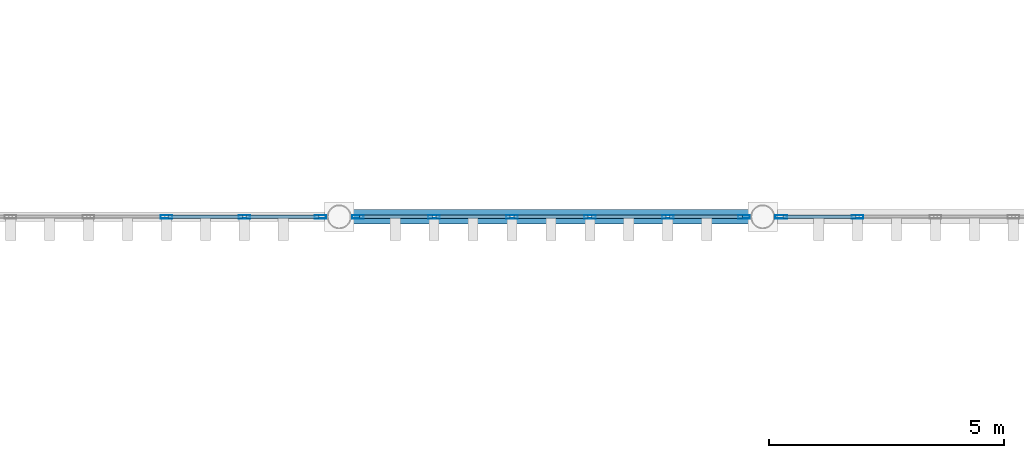
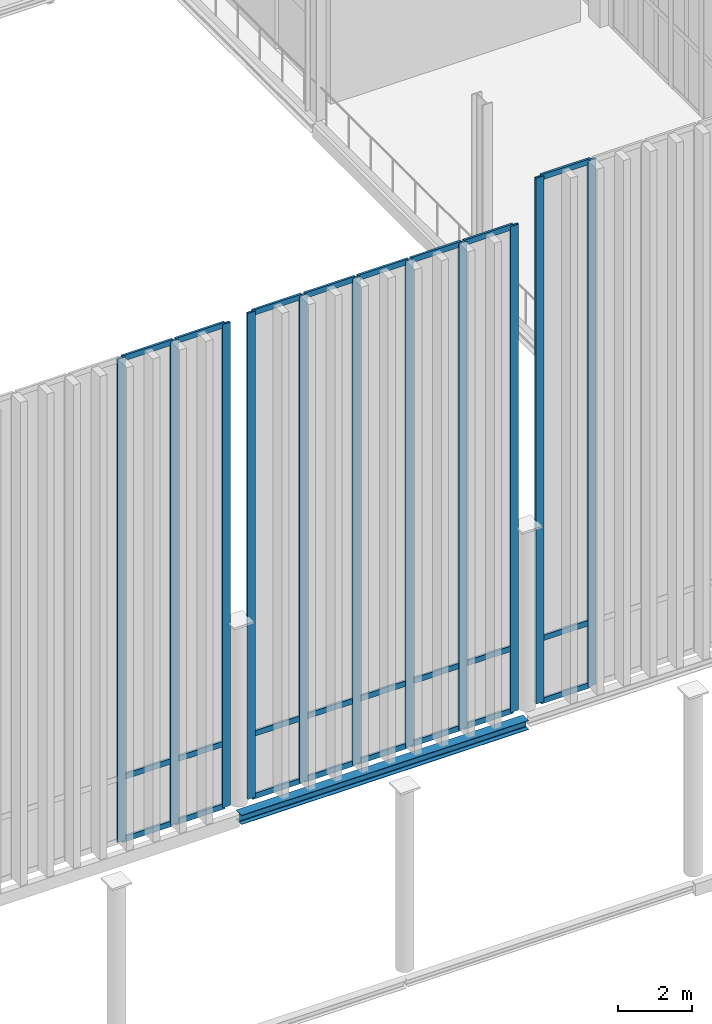
# One storey, part 43 of 237: 35 members, 1 beam, 3 elements without a shape of their own.
"""IFC4 building model written with IfcOpenShell, lengths in metres."""

from ifc_helpers import new_model, si_unit, direction, frame, origin, origin_2d, place, context, subcontext, project, spatial, hollow_rectangle, i_section, extrude, material, layer, layer_set, material_profile, profile_set, type_object, element, aggregate, save


model = new_model("IFC4")

# Units and contexts
model_context = context("Model", 3, precision=1e-05, world=origin(), true_north=direction((0.0, 1.0)))
body_context = subcontext(model_context, "Body", "Model", "MODEL_VIEW")
ifc_project = project(units=[si_unit("LENGTHUNIT", "METRE"), si_unit("AREAUNIT", "SQUARE_METRE"), si_unit("VOLUMEUNIT", "CUBIC_METRE"), si_unit("PLANEANGLEUNIT", "RADIAN"), si_unit("MASSUNIT", "GRAM", prefix="KILO")], contexts=[model_context])

# Site, building, storey
site_placement = place(None, origin())
site = spatial("IfcSite", under=ifc_project, at=site_placement, CompositionType="ELEMENT")
building_placement = place(site_placement, origin())
building = spatial("IfcBuilding", under=site, at=building_placement, Name="Barlavento Convention Centre", CompositionType="ELEMENT")
storey_placement = place(building_placement, frame((0.0, 0.0, 12.0)))
storey = spatial("IfcBuildingStorey", under=building, at=storey_placement, Name="L02", CompositionType="ELEMENT", Elevation=12.0)

# Curtain wall, members
ifc_material_1 = material(Name="Powder-coated aluminium and Low-E glass", Category="aluminium")
ifc_layer = layer(ifc_material_1, 0.18994140625)
ifc_layer_set = layer_set([ifc_layer], Name="ARC-CW-CONG-L02")
curtain_wall_type = type_object("IfcCurtainWallType", Name="ARC-CW-CONG-L02", PredefinedType="NOTDEFINED", material=ifc_layer_set)
curtain_wall_1_placement = place(storey_placement, origin())
curtain_wall_1 = element("IfcCurtainWall", 1, at=curtain_wall_1_placement, inside=storey, type_object=curtain_wall_type, Name="L02 unitised curtain wall CW02", PredefinedType="NOTDEFINED")
ifc_material_2 = material(Name="Powder-coated aluminium", Category="aluminium")
ifc_material_profile_1 = material_profile(ifc_material_2, hollow_rectangle(XDim=0.074951171875, YDim=0.25, WallThickness=0.006103515625, at=origin_2d()), Name="AL-MULL 75x250x6")
ifc_profile_set_1 = profile_set([ifc_material_profile_1], Name="Powder-coated aluminium")
member_type_1 = type_object("IfcMemberType", Name="ARC-CWM-75X250", PredefinedType="MULLION", material=ifc_profile_set_1)
member_1_placement = place(storey_placement, frame((32.328125, 9.0, 0.0), z_axis=(0.0, 0.0, 1.0), x_axis=(0.0, 1.0, 0.0)))
member_1 = element("IfcMember", 2, at=member_1_placement, type_object=member_type_1, Name="CW02 mullion 4", PredefinedType="MULLION", context=body_context, shape_type="SweptSolid", body=[
    extrude(hollow_rectangle(XDim=0.074951171875, YDim=0.25, WallThickness=0.006103515625, at=origin_2d()), origin(), (0.0, 0.0, 1.0), 15.949951171875),
])
member_2_placement = place(storey_placement, frame((33.984619140625, 9.0, 0.0), z_axis=(0.0, 0.0, 1.0), x_axis=(0.0, 1.0, 0.0)))
member_2 = element("IfcMember", 3, at=member_2_placement, type_object=member_type_1, Name="CW02 mullion 5", PredefinedType="MULLION", context=body_context, shape_type="SweptSolid", body=[
    extrude(hollow_rectangle(XDim=0.074951171875, YDim=0.25, WallThickness=0.006103515625, at=origin_2d()), origin(), (0.0, 0.0, 1.0), 15.949951171875),
])
member_3_placement = place(storey_placement, frame((35.603515625, 9.0, 0.0), z_axis=(0.0, 0.0, 1.0), x_axis=(0.0, 1.0, 0.0)))
member_3 = element("IfcMember", 4, at=member_3_placement, type_object=member_type_1, Name="CW02 mullion 6", PredefinedType="MULLION", context=body_context, shape_type="SweptSolid", body=[
    extrude(hollow_rectangle(XDim=0.074951171875, YDim=0.25, WallThickness=0.006103515625, at=origin_2d()), origin(), (0.0, 0.0, 1.0), 15.949951171875),
])

curtain_wall_2_placement = place(storey_placement, origin())
curtain_wall_2 = element("IfcCurtainWall", 5, at=curtain_wall_2_placement, inside=storey, type_object=curtain_wall_type, Name="L02 unitised curtain wall CW02", PredefinedType="NOTDEFINED")
member_4_placement = place(storey_placement, frame((36.396484375, 9.0, 0.0), z_axis=(0.0, 0.0, 1.0), x_axis=(0.0, 1.0, 0.0)))
member_4 = element("IfcMember", 6, at=member_4_placement, type_object=member_type_1, Name="CW02 mullion 1", PredefinedType="MULLION", context=body_context, shape_type="SweptSolid", body=[
    extrude(hollow_rectangle(XDim=0.074951171875, YDim=0.25, WallThickness=0.006103515625, at=origin_2d()), origin(), (0.0, 0.0, 1.0), 16.037109375),
])
member_5_placement = place(storey_placement, frame((38.015380859375, 9.0, 0.0), z_axis=(0.0, 0.0, 1.0), x_axis=(0.0, 1.0, 0.0)))
member_5 = element("IfcMember", 7, at=member_5_placement, type_object=member_type_1, Name="CW02 mullion 2", PredefinedType="MULLION", context=body_context, shape_type="SweptSolid", body=[
    extrude(hollow_rectangle(XDim=0.074951171875, YDim=0.25, WallThickness=0.006103515625, at=origin_2d()), origin(), (0.0, 0.0, 1.0), 16.037109375),
])
member_6_placement = place(storey_placement, frame((39.671875, 9.0, 0.0), z_axis=(0.0, 0.0, 1.0), x_axis=(0.0, 1.0, 0.0)))
member_6 = element("IfcMember", 8, at=member_6_placement, type_object=member_type_1, Name="CW02 mullion 3", PredefinedType="MULLION", context=body_context, shape_type="SweptSolid", body=[
    extrude(hollow_rectangle(XDim=0.074951171875, YDim=0.25, WallThickness=0.006103515625, at=origin_2d()), origin(), (0.0, 0.0, 1.0), 16.037109375),
])
member_7_placement = place(storey_placement, frame((41.328125, 9.0, 0.0), z_axis=(0.0, 0.0, 1.0), x_axis=(0.0, 1.0, 0.0)))
member_7 = element("IfcMember", 9, at=member_7_placement, type_object=member_type_1, Name="CW02 mullion 4", PredefinedType="MULLION", context=body_context, shape_type="SweptSolid", body=[
    extrude(hollow_rectangle(XDim=0.074951171875, YDim=0.25, WallThickness=0.006103515625, at=origin_2d()), origin(), (0.0, 0.0, 1.0), 16.037109375),
])
member_8_placement = place(storey_placement, frame((42.984619140625, 9.0, 0.0), z_axis=(0.0, 0.0, 1.0), x_axis=(0.0, 1.0, 0.0)))
member_8 = element("IfcMember", 10, at=member_8_placement, type_object=member_type_1, Name="CW02 mullion 5", PredefinedType="MULLION", context=body_context, shape_type="SweptSolid", body=[
    extrude(hollow_rectangle(XDim=0.074951171875, YDim=0.25, WallThickness=0.006103515625, at=origin_2d()), origin(), (0.0, 0.0, 1.0), 16.037109375),
])
member_9_placement = place(storey_placement, frame((44.603515625, 9.0, 0.0), z_axis=(0.0, 0.0, 1.0), x_axis=(0.0, 1.0, 0.0)))
member_9 = element("IfcMember", 11, at=member_9_placement, type_object=member_type_1, Name="CW02 mullion 6", PredefinedType="MULLION", context=body_context, shape_type="SweptSolid", body=[
    extrude(hollow_rectangle(XDim=0.074951171875, YDim=0.25, WallThickness=0.006103515625, at=origin_2d()), origin(), (0.0, 0.0, 1.0), 16.037109375),
])

curtain_wall_3_placement = place(storey_placement, origin())
curtain_wall_3 = element("IfcCurtainWall", 12, at=curtain_wall_3_placement, inside=storey, type_object=curtain_wall_type, Name="L02 unitised curtain wall CW02", PredefinedType="NOTDEFINED")
member_10_placement = place(storey_placement, frame((45.396484375, 9.0, 0.0), z_axis=(0.0, 0.0, 1.0), x_axis=(0.0, 1.0, 0.0)))
member_10 = element("IfcMember", 13, at=member_10_placement, type_object=member_type_1, Name="CW02 mullion 1", PredefinedType="MULLION", context=body_context, shape_type="SweptSolid", body=[
    extrude(hollow_rectangle(XDim=0.074951171875, YDim=0.25, WallThickness=0.006103515625, at=origin_2d()), origin(), (0.0, 0.0, 1.0), 17.35400390625),
])
member_11_placement = place(storey_placement, frame((47.015380859375, 9.0, 0.0), z_axis=(0.0, 0.0, 1.0), x_axis=(0.0, 1.0, 0.0)))
member_11 = element("IfcMember", 14, at=member_11_placement, type_object=member_type_1, Name="CW02 mullion 2", PredefinedType="MULLION", context=body_context, shape_type="SweptSolid", body=[
    extrude(hollow_rectangle(XDim=0.074951171875, YDim=0.25, WallThickness=0.006103515625, at=origin_2d()), origin(), (0.0, 0.0, 1.0), 17.35400390625),
])

# Member
ifc_material_profile_2 = material_profile(ifc_material_2, hollow_rectangle(XDim=0.070068359375, YDim=0.179931640625, WallThickness=0.0048828125, at=origin_2d()), Name="AL-TRAN 70x180x5")
ifc_profile_set_2 = profile_set([ifc_material_profile_2], Name="Powder-coated aluminium")
member_type_2 = type_object("IfcMemberType", Name="ARC-CWT-70X180", PredefinedType="USERDEFINED", material=ifc_profile_set_2)
member_12_placement = place(storey_placement, frame((32.36572265625, 9.0, 0.034912109375), z_axis=(1.0, 0.0, 0.0), x_axis=(0.0, 1.0, 0.0)))
member_12 = element("IfcMember", 15, at=member_12_placement, type_object=member_type_2, Name="CW02 transom 4.1", ObjectType="TRANSOM", PredefinedType="USERDEFINED", context=body_context, shape_type="SweptSolid", body=[
    extrude(hollow_rectangle(XDim=0.070068359375, YDim=0.179931640625, WallThickness=0.0048828125, at=origin_2d()), origin(), (0.0, 0.0, 1.0), 1.581298828125),
])

member_13_placement = place(storey_placement, frame((32.36572265625, 9.0, 2.10009765625), z_axis=(1.0, 0.0, 0.0), x_axis=(0.0, 1.0, 0.0)))
member_13 = element("IfcMember", 16, at=member_13_placement, type_object=member_type_2, Name="CW02 transom 4.2", ObjectType="TRANSOM", PredefinedType="USERDEFINED", context=body_context, shape_type="SweptSolid", body=[
    extrude(hollow_rectangle(XDim=0.070068359375, YDim=0.179931640625, WallThickness=0.0048828125, at=origin_2d()), origin(), (0.0, 0.0, 1.0), 1.581298828125),
])

member_14_placement = place(storey_placement, frame((32.36572265625, 9.0, 15.9150390625), z_axis=(1.0, 0.0, 0.0), x_axis=(0.0, 1.0, 0.0)))
member_14 = element("IfcMember", 17, at=member_14_placement, type_object=member_type_2, Name="CW02 transom 4.3", ObjectType="TRANSOM", PredefinedType="USERDEFINED", context=body_context, shape_type="SweptSolid", body=[
    extrude(hollow_rectangle(XDim=0.070068359375, YDim=0.179931640625, WallThickness=0.0048828125, at=origin_2d()), origin(), (0.0, 0.0, 1.0), 1.581298828125),
])

member_15_placement = place(storey_placement, frame((34.022216796875, 9.0, 0.034912109375), z_axis=(1.0, 0.0, 0.0), x_axis=(0.0, 1.0, 0.0)))
member_15 = element("IfcMember", 18, at=member_15_placement, type_object=member_type_2, Name="CW02 transom 5.1", ObjectType="TRANSOM", PredefinedType="USERDEFINED", context=body_context, shape_type="SweptSolid", body=[
    extrude(hollow_rectangle(XDim=0.070068359375, YDim=0.179931640625, WallThickness=0.0048828125, at=origin_2d()), origin(), (0.0, 0.0, 1.0), 1.543701171875),
])

member_16_placement = place(storey_placement, frame((34.022216796875, 9.0, 2.10009765625), z_axis=(1.0, 0.0, 0.0), x_axis=(0.0, 1.0, 0.0)))
member_16 = element("IfcMember", 19, at=member_16_placement, type_object=member_type_2, Name="CW02 transom 5.2", ObjectType="TRANSOM", PredefinedType="USERDEFINED", context=body_context, shape_type="SweptSolid", body=[
    extrude(hollow_rectangle(XDim=0.070068359375, YDim=0.179931640625, WallThickness=0.0048828125, at=origin_2d()), origin(), (0.0, 0.0, 1.0), 1.543701171875),
])

member_17_placement = place(storey_placement, frame((34.022216796875, 9.0, 15.9150390625), z_axis=(1.0, 0.0, 0.0), x_axis=(0.0, 1.0, 0.0)))
member_17 = element("IfcMember", 20, at=member_17_placement, type_object=member_type_2, Name="CW02 transom 5.3", ObjectType="TRANSOM", PredefinedType="USERDEFINED", context=body_context, shape_type="SweptSolid", body=[
    extrude(hollow_rectangle(XDim=0.070068359375, YDim=0.179931640625, WallThickness=0.0048828125, at=origin_2d()), origin(), (0.0, 0.0, 1.0), 1.543701171875),
])

aggregate(curtain_wall_1, [member_1, member_2, member_3, member_12, member_13, member_14, member_15, member_16, member_17])

member_18_placement = place(storey_placement, frame((36.43408203125, 9.0, 0.034912109375), z_axis=(1.0, 0.0, 0.0), x_axis=(0.0, 1.0, 0.0)))
member_18 = element("IfcMember", 21, at=member_18_placement, type_object=member_type_2, Name="CW02 transom 1.1", ObjectType="TRANSOM", PredefinedType="USERDEFINED", context=body_context, shape_type="SweptSolid", body=[
    extrude(hollow_rectangle(XDim=0.070068359375, YDim=0.179931640625, WallThickness=0.0048828125, at=origin_2d()), origin(), (0.0, 0.0, 1.0), 1.543701171875),
])

member_19_placement = place(storey_placement, frame((36.43408203125, 9.0, 2.10009765625), z_axis=(1.0, 0.0, 0.0), x_axis=(0.0, 1.0, 0.0)))
member_19 = element("IfcMember", 22, at=member_19_placement, type_object=member_type_2, Name="CW02 transom 1.2", ObjectType="TRANSOM", PredefinedType="USERDEFINED", context=body_context, shape_type="SweptSolid", body=[
    extrude(hollow_rectangle(XDim=0.070068359375, YDim=0.179931640625, WallThickness=0.0048828125, at=origin_2d()), origin(), (0.0, 0.0, 1.0), 1.543701171875),
])

member_20_placement = place(storey_placement, frame((36.43408203125, 9.0, 16.001953125), z_axis=(1.0, 0.0, 0.0), x_axis=(0.0, 1.0, 0.0)))
member_20 = element("IfcMember", 23, at=member_20_placement, type_object=member_type_2, Name="CW02 transom 1.3", ObjectType="TRANSOM", PredefinedType="USERDEFINED", context=body_context, shape_type="SweptSolid", body=[
    extrude(hollow_rectangle(XDim=0.070068359375, YDim=0.179931640625, WallThickness=0.0048828125, at=origin_2d()), origin(), (0.0, 0.0, 1.0), 1.543701171875),
])

member_21_placement = place(storey_placement, frame((38.052978515625, 9.0, 0.034912109375), z_axis=(1.0, 0.0, 0.0), x_axis=(0.0, 1.0, 0.0)))
member_21 = element("IfcMember", 24, at=member_21_placement, type_object=member_type_2, Name="CW02 transom 2.1", ObjectType="TRANSOM", PredefinedType="USERDEFINED", context=body_context, shape_type="SweptSolid", body=[
    extrude(hollow_rectangle(XDim=0.070068359375, YDim=0.179931640625, WallThickness=0.0048828125, at=origin_2d()), origin(), (0.0, 0.0, 1.0), 1.581298828125),
])

member_22_placement = place(storey_placement, frame((38.052978515625, 9.0, 2.10009765625), z_axis=(1.0, 0.0, 0.0), x_axis=(0.0, 1.0, 0.0)))
member_22 = element("IfcMember", 25, at=member_22_placement, type_object=member_type_2, Name="CW02 transom 2.2", ObjectType="TRANSOM", PredefinedType="USERDEFINED", context=body_context, shape_type="SweptSolid", body=[
    extrude(hollow_rectangle(XDim=0.070068359375, YDim=0.179931640625, WallThickness=0.0048828125, at=origin_2d()), origin(), (0.0, 0.0, 1.0), 1.581298828125),
])

member_23_placement = place(storey_placement, frame((38.052978515625, 9.0, 16.001953125), z_axis=(1.0, 0.0, 0.0), x_axis=(0.0, 1.0, 0.0)))
member_23 = element("IfcMember", 26, at=member_23_placement, type_object=member_type_2, Name="CW02 transom 2.3", ObjectType="TRANSOM", PredefinedType="USERDEFINED", context=body_context, shape_type="SweptSolid", body=[
    extrude(hollow_rectangle(XDim=0.070068359375, YDim=0.179931640625, WallThickness=0.0048828125, at=origin_2d()), origin(), (0.0, 0.0, 1.0), 1.581298828125),
])

member_24_placement = place(storey_placement, frame((39.709228515625, 9.0, 0.034912109375), z_axis=(1.0, 0.0, 0.0), x_axis=(0.0, 1.0, 0.0)))
member_24 = element("IfcMember", 27, at=member_24_placement, type_object=member_type_2, Name="CW02 transom 3.1", ObjectType="TRANSOM", PredefinedType="USERDEFINED", context=body_context, shape_type="SweptSolid", body=[
    extrude(hollow_rectangle(XDim=0.070068359375, YDim=0.179931640625, WallThickness=0.0048828125, at=origin_2d()), origin(), (0.0, 0.0, 1.0), 1.58154296875),
])

member_25_placement = place(storey_placement, frame((39.709228515625, 9.0, 2.10009765625), z_axis=(1.0, 0.0, 0.0), x_axis=(0.0, 1.0, 0.0)))
member_25 = element("IfcMember", 28, at=member_25_placement, type_object=member_type_2, Name="CW02 transom 3.2", ObjectType="TRANSOM", PredefinedType="USERDEFINED", context=body_context, shape_type="SweptSolid", body=[
    extrude(hollow_rectangle(XDim=0.070068359375, YDim=0.179931640625, WallThickness=0.0048828125, at=origin_2d()), origin(), (0.0, 0.0, 1.0), 1.58154296875),
])

member_26_placement = place(storey_placement, frame((39.709228515625, 9.0, 16.001953125), z_axis=(1.0, 0.0, 0.0), x_axis=(0.0, 1.0, 0.0)))
member_26 = element("IfcMember", 29, at=member_26_placement, type_object=member_type_2, Name="CW02 transom 3.3", ObjectType="TRANSOM", PredefinedType="USERDEFINED", context=body_context, shape_type="SweptSolid", body=[
    extrude(hollow_rectangle(XDim=0.070068359375, YDim=0.179931640625, WallThickness=0.0048828125, at=origin_2d()), origin(), (0.0, 0.0, 1.0), 1.58154296875),
])

member_27_placement = place(storey_placement, frame((41.36572265625, 9.0, 0.034912109375), z_axis=(1.0, 0.0, 0.0), x_axis=(0.0, 1.0, 0.0)))
member_27 = element("IfcMember", 30, at=member_27_placement, type_object=member_type_2, Name="CW02 transom 4.1", ObjectType="TRANSOM", PredefinedType="USERDEFINED", context=body_context, shape_type="SweptSolid", body=[
    extrude(hollow_rectangle(XDim=0.070068359375, YDim=0.179931640625, WallThickness=0.0048828125, at=origin_2d()), origin(), (0.0, 0.0, 1.0), 1.581298828125),
])

member_28_placement = place(storey_placement, frame((41.36572265625, 9.0, 2.10009765625), z_axis=(1.0, 0.0, 0.0), x_axis=(0.0, 1.0, 0.0)))
member_28 = element("IfcMember", 31, at=member_28_placement, type_object=member_type_2, Name="CW02 transom 4.2", ObjectType="TRANSOM", PredefinedType="USERDEFINED", context=body_context, shape_type="SweptSolid", body=[
    extrude(hollow_rectangle(XDim=0.070068359375, YDim=0.179931640625, WallThickness=0.0048828125, at=origin_2d()), origin(), (0.0, 0.0, 1.0), 1.581298828125),
])

member_29_placement = place(storey_placement, frame((41.36572265625, 9.0, 16.001953125), z_axis=(1.0, 0.0, 0.0), x_axis=(0.0, 1.0, 0.0)))
member_29 = element("IfcMember", 32, at=member_29_placement, type_object=member_type_2, Name="CW02 transom 4.3", ObjectType="TRANSOM", PredefinedType="USERDEFINED", context=body_context, shape_type="SweptSolid", body=[
    extrude(hollow_rectangle(XDim=0.070068359375, YDim=0.179931640625, WallThickness=0.0048828125, at=origin_2d()), origin(), (0.0, 0.0, 1.0), 1.581298828125),
])

member_30_placement = place(storey_placement, frame((43.022216796875, 9.0, 0.034912109375), z_axis=(1.0, 0.0, 0.0), x_axis=(0.0, 1.0, 0.0)))
member_30 = element("IfcMember", 33, at=member_30_placement, type_object=member_type_2, Name="CW02 transom 5.1", ObjectType="TRANSOM", PredefinedType="USERDEFINED", context=body_context, shape_type="SweptSolid", body=[
    extrude(hollow_rectangle(XDim=0.070068359375, YDim=0.179931640625, WallThickness=0.0048828125, at=origin_2d()), origin(), (0.0, 0.0, 1.0), 1.543701171875),
])

member_31_placement = place(storey_placement, frame((43.022216796875, 9.0, 2.10009765625), z_axis=(1.0, 0.0, 0.0), x_axis=(0.0, 1.0, 0.0)))
member_31 = element("IfcMember", 34, at=member_31_placement, type_object=member_type_2, Name="CW02 transom 5.2", ObjectType="TRANSOM", PredefinedType="USERDEFINED", context=body_context, shape_type="SweptSolid", body=[
    extrude(hollow_rectangle(XDim=0.070068359375, YDim=0.179931640625, WallThickness=0.0048828125, at=origin_2d()), origin(), (0.0, 0.0, 1.0), 1.543701171875),
])

member_32_placement = place(storey_placement, frame((43.022216796875, 9.0, 16.001953125), z_axis=(1.0, 0.0, 0.0), x_axis=(0.0, 1.0, 0.0)))
member_32 = element("IfcMember", 35, at=member_32_placement, type_object=member_type_2, Name="CW02 transom 5.3", ObjectType="TRANSOM", PredefinedType="USERDEFINED", context=body_context, shape_type="SweptSolid", body=[
    extrude(hollow_rectangle(XDim=0.070068359375, YDim=0.179931640625, WallThickness=0.0048828125, at=origin_2d()), origin(), (0.0, 0.0, 1.0), 1.543701171875),
])

aggregate(curtain_wall_2, [member_4, member_5, member_6, member_7, member_8, member_9, member_18, member_19, member_20, member_21, member_22, member_23, member_24, member_25, member_26, member_27, member_28, member_29, member_30, member_31, member_32])

member_33_placement = place(storey_placement, frame((45.43408203125, 9.0, 0.034912109375), z_axis=(1.0, 0.0, 0.0), x_axis=(0.0, 1.0, 0.0)))
member_33 = element("IfcMember", 36, at=member_33_placement, type_object=member_type_2, Name="CW02 transom 1.1", ObjectType="TRANSOM", PredefinedType="USERDEFINED", context=body_context, shape_type="SweptSolid", body=[
    extrude(hollow_rectangle(XDim=0.070068359375, YDim=0.179931640625, WallThickness=0.0048828125, at=origin_2d()), origin(), (0.0, 0.0, 1.0), 1.543701171875),
])

member_34_placement = place(storey_placement, frame((45.43408203125, 9.0, 2.10009765625), z_axis=(1.0, 0.0, 0.0), x_axis=(0.0, 1.0, 0.0)))
member_34 = element("IfcMember", 37, at=member_34_placement, type_object=member_type_2, Name="CW02 transom 1.2", ObjectType="TRANSOM", PredefinedType="USERDEFINED", context=body_context, shape_type="SweptSolid", body=[
    extrude(hollow_rectangle(XDim=0.070068359375, YDim=0.179931640625, WallThickness=0.0048828125, at=origin_2d()), origin(), (0.0, 0.0, 1.0), 1.543701171875),
])

member_35_placement = place(storey_placement, frame((45.43408203125, 9.0, 17.319091796875), z_axis=(1.0, 0.0, 0.0), x_axis=(0.0, 1.0, 0.0)))
member_35 = element("IfcMember", 38, at=member_35_placement, type_object=member_type_2, Name="CW02 transom 1.3", ObjectType="TRANSOM", PredefinedType="USERDEFINED", context=body_context, shape_type="SweptSolid", body=[
    extrude(hollow_rectangle(XDim=0.070068359375, YDim=0.179931640625, WallThickness=0.0048828125, at=origin_2d()), origin(), (0.0, 0.0, 1.0), 1.543701171875),
])

aggregate(curtain_wall_3, [member_10, member_11, member_33, member_34, member_35])

# Beam
ifc_material_3 = material(Name="Steel S355", Category="steel")
ifc_material_profile_3 = material_profile(ifc_material_3, i_section(OverallWidth=0.300048828125, OverallDepth=0.31005859375, WebThickness=0.009033203125, FlangeThickness=0.015380859375, FilletRadius=0.027099609375, at=origin_2d()), Name="HEA 320")
ifc_profile_set_3 = profile_set([ifc_material_profile_3], Name="Steel S355")
beam_type = type_object("IfcBeamType", Name="STR-BM-SPN-HEA320", PredefinedType="SPANDREL", material=ifc_profile_set_3)
beam_placement = place(storey_placement, frame((36.02001953125, 9.0, -0.514892578125), z_axis=(1.0, 0.0, 0.0), x_axis=(0.0, 1.0, 0.0)))
element("IfcBeam", 39, at=beam_placement, inside=storey, type_object=beam_type, Name="L02 primary girder SP01", PredefinedType="SPANDREL", context=body_context, shape_type="SweptSolid", body=[
    extrude(i_section(OverallWidth=0.300048828125, OverallDepth=0.31005859375, WebThickness=0.009033203125, FlangeThickness=0.015380859375, FilletRadius=0.027099609375, at=origin_2d()), origin(), (0.0, 0.0, 1.0), 8.9599609375),
])

save(model, "model.ifc")
